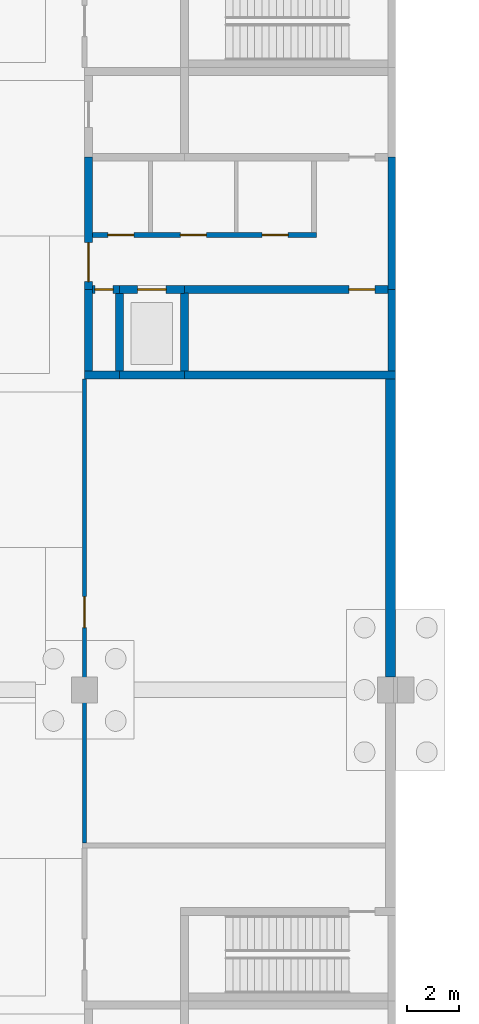
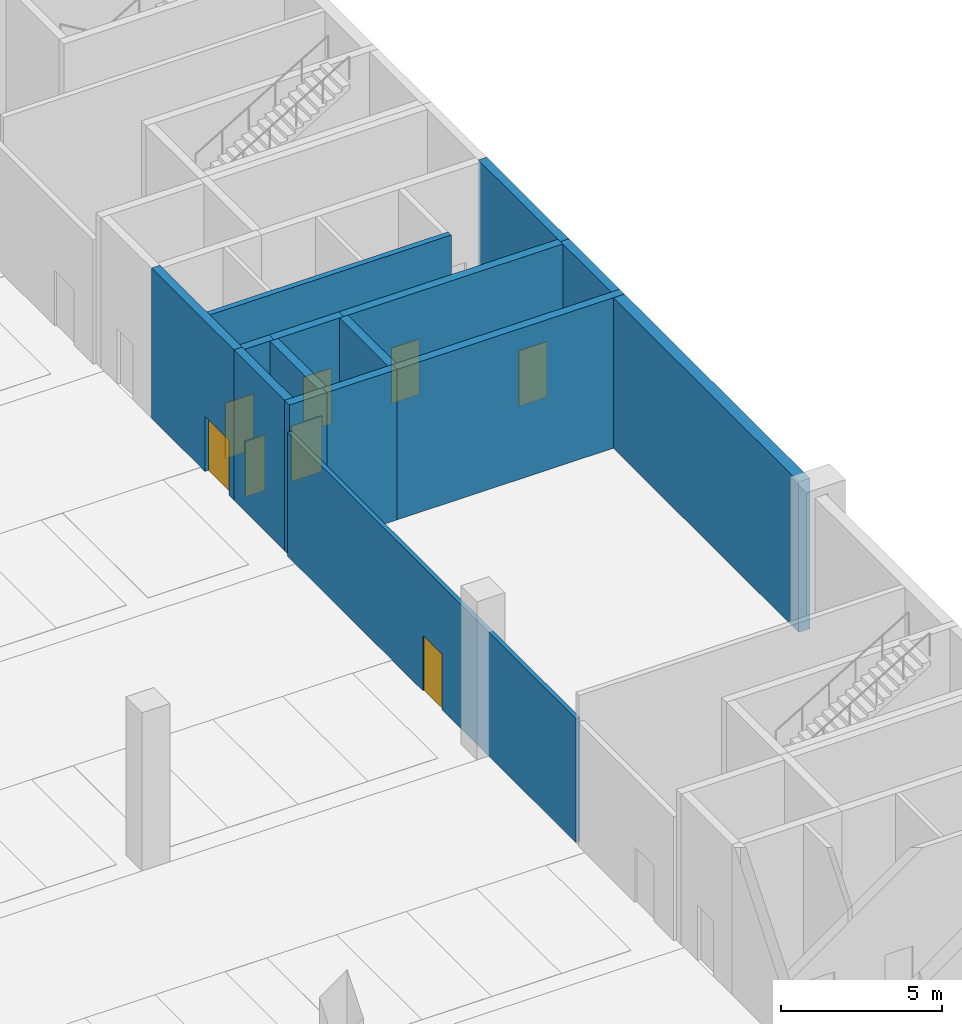
# One storey, part 22 of 34: 15 walls, 8 doors, 8 openings.
"""IFC4 building model written with IfcOpenShell, lengths in metres."""

from ifc_helpers import new_model, si_unit, direction, frame, frame_2d, origin, place, context, subcontext, project, spatial, rectangle, extrude, material, layer, layer_set, type_object, element, fill, save


model = new_model("IFC4")

# Units and contexts
model_context = context("Model", 3, precision=1e-05, world=origin(), true_north=direction((0.0, 1.0)))
body_context = subcontext(model_context, "Body", "Model", "MODEL_VIEW")
ifc_project = project(units=[si_unit("LENGTHUNIT", "METRE"), si_unit("AREAUNIT", "SQUARE_METRE"), si_unit("VOLUMEUNIT", "CUBIC_METRE"), si_unit("PLANEANGLEUNIT", "RADIAN"), si_unit("MASSUNIT", "GRAM", prefix="KILO")], contexts=[model_context])

# Site, building, storey
site_placement = place(None, origin())
site = spatial("IfcSite", under=ifc_project, at=site_placement, CompositionType="ELEMENT")
building_placement = place(site_placement, origin())
building = spatial("IfcBuilding", under=site, at=building_placement, Name="Lilac Gate Convention Centre", CompositionType="ELEMENT")
storey_placement = place(building_placement, frame((0.0, 0.0, -6.0)))
storey = spatial("IfcBuildingStorey", under=building, at=storey_placement, Name="B1", CompositionType="ELEMENT", Elevation=-6.0)

# Wall
ifc_material_1 = material(Name="Concrete C35", Category="concrete")
ifc_layer_1 = layer(ifc_material_1, 0.39990234375)
ifc_layer_set_1 = layer_set([ifc_layer_1], Name="Concrete C35")
wall_type_1 = type_object("IfcWallType", Name="Basement wall 400 C35", PredefinedType="SOLIDWALL", material=ifc_layer_set_1)
wall_1_placement = place(storey_placement, frame((89.800048828125, 174.5, 0.0), z_axis=(0.0, 0.0, 1.0), x_axis=(0.0, 1.0, 0.0)))
element("IfcWall", 1, at=wall_1_placement, inside=storey, type_object=wall_type_1, Name="SW2 basement wall 5 at 8/G", PredefinedType="SOLIDWALL", context=body_context, shape_type="SweptSolid", body=[
    extrude(rectangle(XDim=11.5, YDim=0.39990234375, at=frame_2d((5.75, 0.0))), origin(), (0.0, 0.0, 1.0), 5.699951171875),
])

# Wall, opening, door
ifc_material_2 = material(Name="Fire-rated gypsum board on steel stud", Category="steel")
ifc_layer_2 = layer(ifc_material_2, 0.14990234375)
ifc_layer_set_2 = layer_set([ifc_layer_2], Name="Fire-rated gypsum board on steel stud")
wall_type_2 = type_object("IfcWallType", Name="Partition 150 fire-rated gypsum board EI 60", PredefinedType="PARTITIONING", material=ifc_layer_set_2)
wall_2_placement = place(storey_placement, frame((78.0, 168.10009765625, 0.0), z_axis=(0.0, 0.0, 1.0), x_axis=(0.0, 1.0, 0.0)))
wall_2 = element("IfcWall", 2, at=wall_2_placement, inside=storey, type_object=wall_type_2, Name="Partition 150 fire-rated gypsum board EI 60", PredefinedType="PARTITIONING", context=body_context, shape_type="SweptSolid", body=[
    extrude(rectangle(XDim=17.89990234375, YDim=0.14990234375, at=frame_2d((8.949951171875, 0.0))), origin(), (0.0, 0.0, 1.0), 4.699951171875),
])
opening_1_placement = place(wall_2_placement, frame((8.300048828125, 0.0, 0.0)))
opening_1 = element("IfcOpeningElement", 3, at=opening_1_placement, cuts=wall_2, Name="Opening B1-061", PredefinedType="OPENING", context=body_context, shape_type="SweptSolid", body=[
    extrude(rectangle(XDim=1.199951171875, YDim=2.10009765625, at=frame_2d((0.60009765625, 1.050048828125))), frame((0.0, 0.0849609375, 0.0), z_axis=(0.0, -1.0, 0.0), x_axis=(1.0, 0.0, 0.0)), (0.0, 0.0, 1.0), 0.169921875),
])
ifc_material_3 = material(Name="Timber fire door leaf", Category="wood")
door_type_1 = type_object("IfcDoorType", Name="Door 1200 x 2100 single leaf FD30", OperationType="SINGLE_SWING_LEFT", PredefinedType="DOOR", material=ifc_material_3)
door_1_placement = place(opening_1_placement, origin())
door_1 = element("IfcDoor", 4, at=door_1_placement, inside=storey, type_object=door_type_1, Name="Store door B1-061", OperationType="SINGLE_SWING_LEFT", OverallHeight=2.10009765625, OverallWidth=1.199951171875, PredefinedType="DOOR", context=body_context, shape_type="SweptSolid", body=[
    extrude(rectangle(XDim=1.199951171875, YDim=2.10009765625, at=frame_2d((0.60009765625, 1.050048828125))), frame((0.0, 0.02490234375, 0.0), z_axis=(0.0, -1.0, 0.0), x_axis=(1.0, 0.0, 0.0)), (0.0, 0.0, 1.0), 0.050048828125),
])
fill(opening_1, door_1)

# Wall, openings, doors
ifc_material_4 = material(Name="Clay brick masonry", Category="masonry")
ifc_layer_3 = layer(ifc_material_4, 0.199951171875)
ifc_layer_set_3 = layer_set([ifc_layer_3], Name="Clay brick masonry")
wall_type_3 = type_object("IfcWallType", Name="Partition 200 brick EI 60", PredefinedType="PARTITIONING", material=ifc_layer_set_3)
wall_3_placement = place(storey_placement, frame((78.300048828125, 191.550048828125, 0.0), z_axis=(0.0, 0.0, 1.0), x_axis=(1.0, 0.0, 0.0)))
wall_3 = element("IfcWall", 5, at=wall_3_placement, inside=storey, type_object=wall_type_3, Name="Partition 200 brick EI 60", PredefinedType="PARTITIONING", context=body_context, shape_type="SweptSolid", body=[
    extrude(rectangle(XDim=8.64990234375, YDim=0.199951171875, at=frame_2d((4.324951171875, 0.0))), origin(), (0.0, 0.0, 1.0), 5.699951171875),
])
opening_2_placement = place(wall_3_placement, frame((0.60009765625, 0.0, 0.0)))
opening_2 = element("IfcOpeningElement", 6, at=opening_2_placement, cuts=wall_3, Name="Opening B1-067", PredefinedType="OPENING", context=body_context, shape_type="SweptSolid", body=[
    extrude(rectangle(XDim=1.0, YDim=2.10009765625, at=frame_2d((0.5, 1.050048828125))), frame((0.0, 0.10986328125, 0.0), z_axis=(0.0, -1.0, 0.0), x_axis=(1.0, 0.0, 0.0)), (0.0, 0.0, 1.0), 0.219970703125),
])
opening_3_placement = place(wall_3_placement, frame((3.39990234375, 0.0, 0.0)))
opening_3 = element("IfcOpeningElement", 7, at=opening_3_placement, cuts=wall_3, Name="Opening B1-068", PredefinedType="OPENING", context=body_context, shape_type="SweptSolid", body=[
    extrude(rectangle(XDim=1.0, YDim=2.10009765625, at=frame_2d((0.5, 1.050048828125))), frame((0.0, 0.10986328125, 0.0), z_axis=(0.0, -1.0, 0.0), x_axis=(1.0, 0.0, 0.0)), (0.0, 0.0, 1.0), 0.219970703125),
])
opening_4_placement = place(wall_3_placement, frame((6.550048828125, 0.0, 0.0)))
opening_4 = element("IfcOpeningElement", 8, at=opening_4_placement, cuts=wall_3, Name="Opening B1-069", PredefinedType="OPENING", context=body_context, shape_type="SweptSolid", body=[
    extrude(rectangle(XDim=1.0, YDim=2.10009765625, at=frame_2d((0.5, 1.050048828125))), frame((0.0, 0.10986328125, 0.0), z_axis=(0.0, -1.0, 0.0), x_axis=(1.0, 0.0, 0.0)), (0.0, 0.0, 1.0), 0.219970703125),
])
door_type_2 = type_object("IfcDoorType", Name="Door 1000 x 2100 single leaf FD30", OperationType="SINGLE_SWING_LEFT", PredefinedType="DOOR", material=ifc_material_3)
door_2_placement = place(opening_2_placement, origin())
door_2 = element("IfcDoor", 9, at=door_2_placement, inside=storey, type_object=door_type_2, Name="Accessible WC door B1-067", OperationType="SINGLE_SWING_RIGHT", OverallHeight=2.10009765625, OverallWidth=1.0, PredefinedType="DOOR", context=body_context, shape_type="SweptSolid", body=[
    extrude(rectangle(XDim=1.0, YDim=2.10009765625, at=frame_2d((0.5, 1.050048828125))), frame((0.0, 0.02490234375, 0.0), z_axis=(0.0, -1.0, 0.0), x_axis=(1.0, 0.0, 0.0)), (0.0, 0.0, 1.0), 0.050048828125),
])
fill(opening_2, door_2)
door_3_placement = place(opening_3_placement, origin())
door_3 = element("IfcDoor", 10, at=door_3_placement, inside=storey, type_object=door_type_2, Name="WC door B1-068", OperationType="SINGLE_SWING_LEFT", OverallHeight=2.10009765625, OverallWidth=1.0, PredefinedType="DOOR", context=body_context, shape_type="SweptSolid", body=[
    extrude(rectangle(XDim=1.0, YDim=2.10009765625, at=frame_2d((0.5, 1.050048828125))), frame((0.0, 0.02490234375, 0.0), z_axis=(0.0, -1.0, 0.0), x_axis=(1.0, 0.0, 0.0)), (0.0, 0.0, 1.0), 0.050048828125),
])
fill(opening_3, door_3)
door_4_placement = place(opening_4_placement, origin())
door_4 = element("IfcDoor", 11, at=door_4_placement, inside=storey, type_object=door_type_2, Name="WC door B1-069", OperationType="SINGLE_SWING_RIGHT", OverallHeight=2.10009765625, OverallWidth=1.0, PredefinedType="DOOR", context=body_context, shape_type="SweptSolid", body=[
    extrude(rectangle(XDim=1.0, YDim=2.10009765625, at=frame_2d((0.5, 1.050048828125))), frame((0.0, 0.02490234375, 0.0), z_axis=(0.0, -1.0, 0.0), x_axis=(1.0, 0.0, 0.0)), (0.0, 0.0, 1.0), 0.050048828125),
])
fill(opening_4, door_4)

# Walls
ifc_material_5 = material(Name="Concrete C40", Category="concrete")
ifc_layer_4 = layer(ifc_material_5, 0.300048828125)
ifc_layer_set_4 = layer_set([ifc_layer_4], Name="Concrete C40")
wall_type_4 = type_object("IfcWallType", Name="Shear wall 300 C40", PredefinedType="SHEAR", material=ifc_layer_set_4)
wall_4_placement = place(storey_placement, frame((90.0, 186.14990234375, 0.0), z_axis=(0.0, 0.0, 1.0), x_axis=(-1.0, 0.0, 0.0)))
element("IfcWall", 12, at=wall_4_placement, inside=storey, type_object=wall_type_4, Name="SW1 shear wall E3 B1 1", PredefinedType="SHEAR", context=body_context, shape_type="SweptSolid", body=[
    extrude(rectangle(XDim=8.14990234375, YDim=0.300048828125, at=frame_2d((4.074951171875, 0.0))), origin(), (0.0, 0.0, 1.0), 5.699951171875),
])
wall_5_placement = place(storey_placement, frame((81.85009765625, 186.14990234375, 0.0), z_axis=(0.0, 0.0, 1.0), x_axis=(-1.0, 0.0, 0.0)))
element("IfcWall", 13, at=wall_5_placement, inside=storey, type_object=wall_type_4, Name="SW1 shear wall E3 B1 2", PredefinedType="SHEAR", context=body_context, shape_type="SweptSolid", body=[
    extrude(rectangle(XDim=2.5, YDim=0.300048828125, at=frame_2d((1.25, 0.0))), origin(), (0.0, 0.0, 1.0), 5.699951171875),
])
wall_6_placement = place(storey_placement, frame((79.35009765625, 186.14990234375, 0.0), z_axis=(0.0, 0.0, 1.0), x_axis=(-1.0, 0.0, 0.0)))
element("IfcWall", 14, at=wall_6_placement, inside=storey, type_object=wall_type_4, Name="SW1 shear wall E3 B1 3", PredefinedType="SHEAR", context=body_context, shape_type="SweptSolid", body=[
    extrude(rectangle(XDim=1.35009765625, YDim=0.300048828125, at=frame_2d((0.675048828125, 0.0))), origin(), (0.0, 0.0, 1.0), 5.699951171875),
])

# Wall, opening, door
wall_7_placement = place(storey_placement, frame((90.0, 189.449951171875, 0.0), z_axis=(0.0, 0.0, 1.0), x_axis=(-1.0, 0.0, 0.0)))
wall_7 = element("IfcWall", 15, at=wall_7_placement, inside=storey, type_object=wall_type_4, Name="SW1 shear wall E3 B1 6", PredefinedType="SHEAR", context=body_context, shape_type="SweptSolid", body=[
    extrude(rectangle(XDim=8.14990234375, YDim=0.300048828125, at=frame_2d((4.074951171875, 0.0))), origin(), (0.0, 0.0, 1.0), 5.699951171875),
])
opening_5_placement = place(wall_7_placement, frame((0.800048828125, 0.0, 0.0)))
opening_5 = element("IfcOpeningElement", 16, at=opening_5_placement, cuts=wall_7, Name="Opening B1-065", PredefinedType="OPENING", context=body_context, shape_type="SweptSolid", body=[
    extrude(rectangle(XDim=1.0, YDim=2.10009765625, at=frame_2d((0.5, 1.050048828125))), frame((0.0, 0.159912109375, 0.0), z_axis=(0.0, -1.0, 0.0), x_axis=(1.0, 0.0, 0.0)), (0.0, 0.0, 1.0), 0.320068359375),
])
door_type_3 = type_object("IfcDoorType", Name="Door 1000 x 2100 single leaf FD60", OperationType="SINGLE_SWING_LEFT", PredefinedType="DOOR", material=ifc_material_3)
door_5_placement = place(opening_5_placement, origin())
door_5 = element("IfcDoor", 17, at=door_5_placement, inside=storey, type_object=door_type_3, Name="Store door B1-065", OperationType="SINGLE_SWING_RIGHT", OverallHeight=2.10009765625, OverallWidth=1.0, PredefinedType="DOOR", context=body_context, shape_type="SweptSolid", body=[
    extrude(rectangle(XDim=1.0, YDim=2.10009765625, at=frame_2d((0.5, 1.050048828125))), frame((0.0, 0.02490234375, 0.0), z_axis=(0.0, -1.0, 0.0), x_axis=(1.0, 0.0, 0.0)), (0.0, 0.0, 1.0), 0.050048828125),
])
fill(opening_5, door_5)

wall_8_placement = place(storey_placement, frame((81.85009765625, 189.449951171875, 0.0), z_axis=(0.0, 0.0, 1.0), x_axis=(-1.0, 0.0, 0.0)))
wall_8 = element("IfcWall", 18, at=wall_8_placement, inside=storey, type_object=wall_type_4, Name="SW1 shear wall E3 B1 7", PredefinedType="SHEAR", context=body_context, shape_type="SweptSolid", body=[
    extrude(rectangle(XDim=2.5, YDim=0.300048828125, at=frame_2d((1.25, 0.0))), origin(), (0.0, 0.0, 1.0), 5.699951171875),
])
opening_6_placement = place(wall_8_placement, frame((0.699951171875, 0.0, 0.0)))
opening_6 = element("IfcOpeningElement", 19, at=opening_6_placement, cuts=wall_8, Name="Opening LDE3-B1", PredefinedType="OPENING", context=body_context, shape_type="SweptSolid", body=[
    extrude(rectangle(XDim=1.10009765625, YDim=2.10009765625, at=frame_2d((0.550048828125, 1.050048828125))), frame((0.0, 0.159912109375, 0.0), z_axis=(0.0, -1.0, 0.0), x_axis=(1.0, 0.0, 0.0)), (0.0, 0.0, 1.0), 0.320068359375),
])
ifc_material_6 = material(Name="Stainless steel 304", Category="steel")
door_type_4 = type_object("IfcDoorType", Name="Lift landing door 1100 x 2100", OperationType="SLIDING_TO_LEFT", PredefinedType="DOOR", material=ifc_material_6)
door_6_placement = place(opening_6_placement, origin())
door_6 = element("IfcDoor", 20, at=door_6_placement, inside=storey, type_object=door_type_4, Name="Lift landing door LDE3-B1", OperationType="SLIDING_TO_LEFT", OverallHeight=2.10009765625, OverallWidth=1.10009765625, PredefinedType="DOOR", context=body_context, shape_type="SweptSolid", body=[
    extrude(rectangle(XDim=1.10009765625, YDim=2.10009765625, at=frame_2d((0.550048828125, 1.050048828125))), frame((0.0, 0.02490234375, 0.0), z_axis=(0.0, -1.0, 0.0), x_axis=(1.0, 0.0, 0.0)), (0.0, 0.0, 1.0), 0.050048828125),
])
fill(opening_6, door_6)

wall_9_placement = place(storey_placement, frame((79.35009765625, 189.449951171875, 0.0), z_axis=(0.0, 0.0, 1.0), x_axis=(-1.0, 0.0, 0.0)))
wall_9 = element("IfcWall", 21, at=wall_9_placement, inside=storey, type_object=wall_type_4, Name="SW1 shear wall E3 B1 8", PredefinedType="SHEAR", context=body_context, shape_type="SweptSolid", body=[
    extrude(rectangle(XDim=1.050048828125, YDim=0.300048828125, at=frame_2d((0.52490234375, 0.0))), origin(), (0.0, 0.0, 1.0), 5.699951171875),
])
opening_7_placement = place(wall_9_placement, frame((0.25, 0.0, 0.0)))
opening_7 = element("IfcOpeningElement", 22, at=opening_7_placement, cuts=wall_9, Name="Opening B1-064", PredefinedType="OPENING", context=body_context, shape_type="SweptSolid", body=[
    extrude(rectangle(XDim=0.699951171875, YDim=2.10009765625, at=frame_2d((0.35009765625, 1.050048828125))), frame((0.0, 0.159912109375, 0.0), z_axis=(0.0, -1.0, 0.0), x_axis=(1.0, 0.0, 0.0)), (0.0, 0.0, 1.0), 0.320068359375),
])
door_type_5 = type_object("IfcDoorType", Name="Door 700 x 2100 single leaf FD30", OperationType="SINGLE_SWING_LEFT", PredefinedType="DOOR", material=ifc_material_3)
door_7_placement = place(opening_7_placement, origin())
door_7 = element("IfcDoor", 23, at=door_7_placement, inside=storey, type_object=door_type_5, Name="Riser access door B1-064", OperationType="SINGLE_SWING_LEFT", OverallHeight=2.10009765625, OverallWidth=0.699951171875, PredefinedType="DOOR", context=body_context, shape_type="SweptSolid", body=[
    extrude(rectangle(XDim=0.699951171875, YDim=2.10009765625, at=frame_2d((0.35009765625, 1.050048828125))), frame((0.0, 0.02490234375, 0.0), z_axis=(0.0, -1.0, 0.0), x_axis=(1.0, 0.0, 0.0)), (0.0, 0.0, 1.0), 0.050048828125),
])
fill(opening_7, door_7)

# Walls
wall_10_placement = place(storey_placement, frame((89.85009765625, 186.300048828125, 0.0), z_axis=(0.0, 0.0, 1.0), x_axis=(0.0, 1.0, 0.0)))
element("IfcWall", 24, at=wall_10_placement, inside=storey, type_object=wall_type_4, Name="SW1 shear wall E3 B1 11", PredefinedType="SHEAR", context=body_context, shape_type="SweptSolid", body=[
    extrude(rectangle(XDim=3.14990234375, YDim=0.300048828125, at=frame_2d((1.574951171875, 0.0))), origin(), (0.0, 0.0, 1.0), 5.699951171875),
])
wall_11_placement = place(storey_placement, frame((89.85009765625, 189.449951171875, 0.0), z_axis=(0.0, 0.0, 1.0), x_axis=(0.0, 1.0, 0.0)))
element("IfcWall", 25, at=wall_11_placement, inside=storey, type_object=wall_type_4, Name="SW1 shear wall E3 B1 12", PredefinedType="SHEAR", context=body_context, shape_type="SweptSolid", body=[
    extrude(rectangle(XDim=5.10009765625, YDim=0.300048828125, at=frame_2d((2.550048828125, 0.0))), origin(), (0.0, 0.0, 1.0), 5.699951171875),
])
wall_12_placement = place(storey_placement, frame((78.14990234375, 186.300048828125, 0.0), z_axis=(0.0, 0.0, 1.0), x_axis=(0.0, 1.0, 0.0)))
element("IfcWall", 26, at=wall_12_placement, inside=storey, type_object=wall_type_4, Name="SW1 shear wall E3 B1 14", PredefinedType="SHEAR", context=body_context, shape_type="SweptSolid", body=[
    extrude(rectangle(XDim=3.14990234375, YDim=0.300048828125, at=frame_2d((1.574951171875, 0.0))), origin(), (0.0, 0.0, 1.0), 5.699951171875),
])

# Wall, opening, door
wall_13_placement = place(storey_placement, frame((78.14990234375, 189.449951171875, 0.0), z_axis=(0.0, 0.0, 1.0), x_axis=(0.0, 1.0, 0.0)))
wall_13 = element("IfcWall", 27, at=wall_13_placement, inside=storey, type_object=wall_type_4, Name="SW1 shear wall E3 B1 15", PredefinedType="SHEAR", context=body_context, shape_type="SweptSolid", body=[
    extrude(rectangle(XDim=5.10009765625, YDim=0.300048828125, at=frame_2d((2.550048828125, 0.0))), origin(), (0.0, 0.0, 1.0), 5.699951171875),
])
opening_8_placement = place(wall_13_placement, frame((0.300048828125, 0.0, 0.0)))
opening_8 = element("IfcOpeningElement", 28, at=opening_8_placement, cuts=wall_13, Name="Opening B1-066", PredefinedType="OPENING", context=body_context, shape_type="SweptSolid", body=[
    extrude(rectangle(XDim=1.5, YDim=2.10009765625, at=frame_2d((0.75, 1.050048828125))), frame((0.0, 0.159912109375, 0.0), z_axis=(0.0, -1.0, 0.0), x_axis=(1.0, 0.0, 0.0)), (0.0, 0.0, 1.0), 0.320068359375),
])
door_type_6 = type_object("IfcDoorType", Name="Door 1500 x 2100 double leaf FD30", OperationType="DOUBLE_DOOR_SINGLE_SWING", PredefinedType="DOOR", material=ifc_material_3)
door_8_placement = place(opening_8_placement, frame((1.5, 0.0, 0.0), z_axis=(0.0, 0.0, 1.0), x_axis=(-1.0, 0.0, 0.0)))
door_8 = element("IfcDoor", 29, at=door_8_placement, inside=storey, type_object=door_type_6, Name="Lobby door B1-066", OperationType="DOUBLE_DOOR_SINGLE_SWING", OverallHeight=2.10009765625, OverallWidth=1.5, PredefinedType="DOOR", context=body_context, shape_type="SweptSolid", body=[
    extrude(rectangle(XDim=1.5, YDim=2.10009765625, at=frame_2d((0.75, 1.050048828125))), frame((0.0, 0.02490234375, 0.0), z_axis=(0.0, -1.0, 0.0), x_axis=(1.0, 0.0, 0.0)), (0.0, 0.0, 1.0), 0.050048828125),
])
fill(opening_8, door_8)

# Walls
for number, where, z_axis, x_axis, name in (
    (30, (81.85009765625, 186.300048828125, 0.0), (0.0, 0.0, 1.0), (0.0, 1.0, 0.0), "SW1 shear wall E3 B1 17"),
    (31, (79.35009765625, 186.300048828125, 0.0), (0.0, 0.0, 1.0), (0.0, 1.0, 0.0), "SW1 shear wall E3 B1 19"),
):
    element("IfcWall", number, at=place(storey_placement, frame(where, z_axis=z_axis, x_axis=x_axis)), inside=storey, type_object=wall_type_4, Name=name, PredefinedType="SHEAR", context=body_context, shape_type="SweptSolid", body=[
        extrude(rectangle(XDim=3.0, YDim=0.300048828125, at=frame_2d((1.5, 0.0))), origin(), (0.0, 0.0, 1.0), 5.699951171875),
    ])

save(model, "model.ifc")
